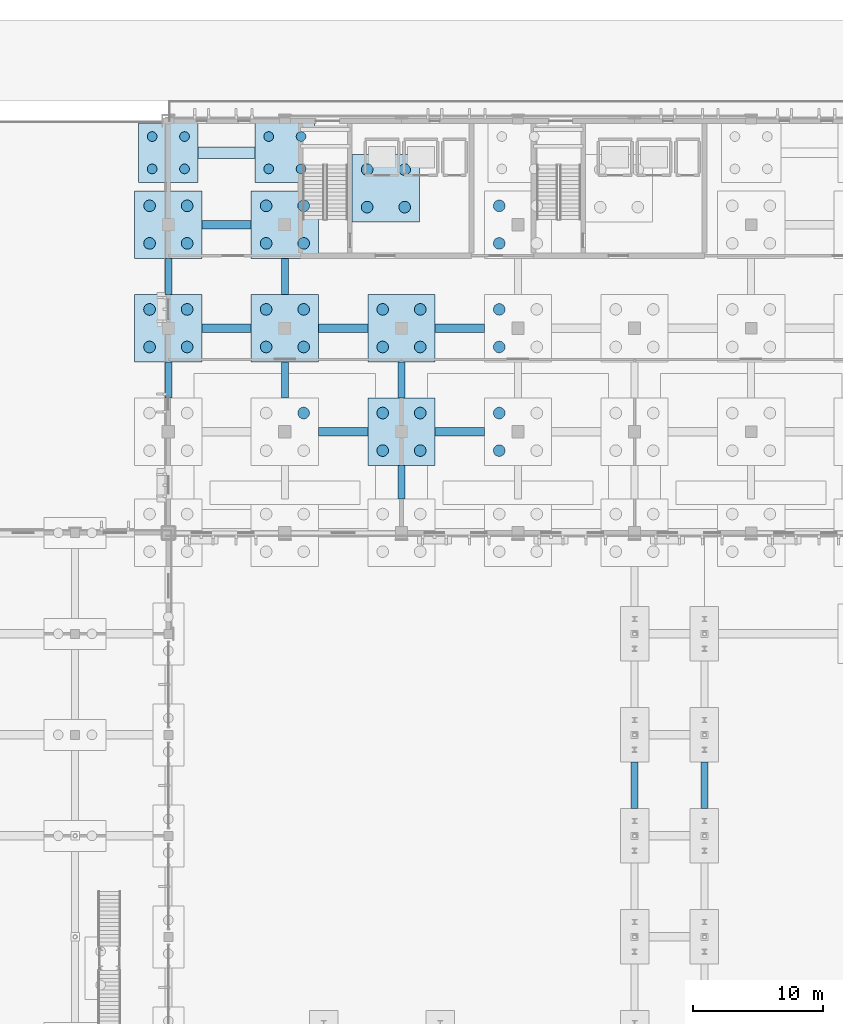
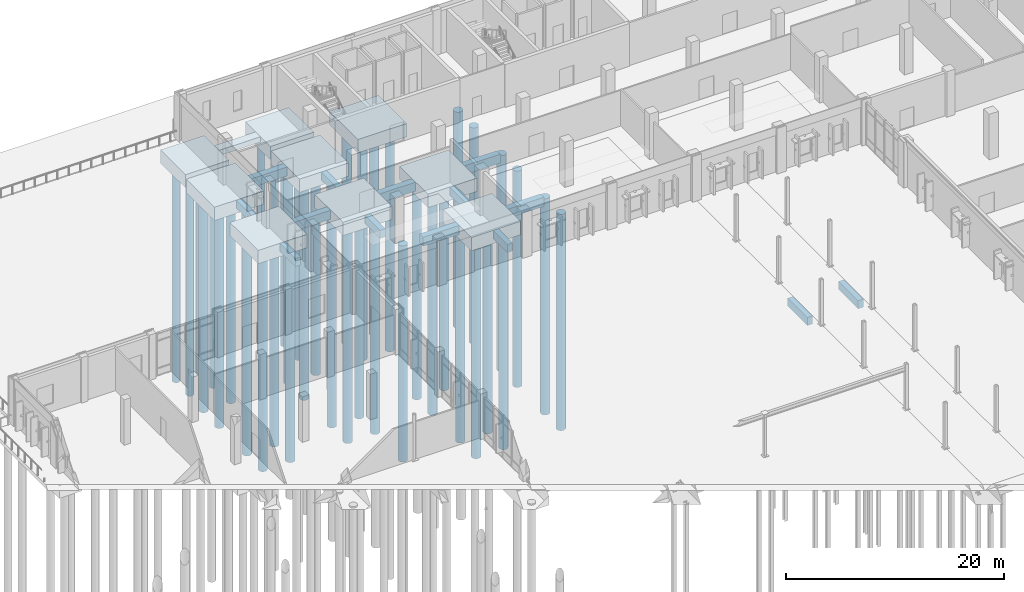
# One storey, part 9 of 94: 43 piles, 24 footings.
"""IFC4 building model written with IfcOpenShell, lengths in metres."""

from ifc_helpers import new_model, si_unit, direction, frame, origin, origin_2d, place, context, subcontext, project, spatial, rectangle, circle, extrude, material, material_profile, profile_set, type_object, element, save


model = new_model("IFC4")

# Units and contexts
model_context = context("Model", 3, precision=1e-05, world=origin(), true_north=direction((0.0, 1.0)))
body_context = subcontext(model_context, "Body", "Model", "MODEL_VIEW")
ifc_project = project(units=[si_unit("LENGTHUNIT", "METRE"), si_unit("AREAUNIT", "SQUARE_METRE"), si_unit("VOLUMEUNIT", "CUBIC_METRE"), si_unit("PLANEANGLEUNIT", "RADIAN"), si_unit("MASSUNIT", "GRAM", prefix="KILO")], contexts=[model_context])

# Site, building, storey
site_placement = place(None, origin())
site = spatial("IfcSite", under=ifc_project, at=site_placement, CompositionType="ELEMENT")
building_placement = place(site_placement, origin())
building = spatial("IfcBuilding", under=site, at=building_placement, Name="Vervanel Yard Central Library", CompositionType="ELEMENT")
storey_placement = place(building_placement, origin())
storey = spatial("IfcBuildingStorey", under=building, at=storey_placement, Name="L00", CompositionType="ELEMENT", Elevation=0.0)

# Piles
ifc_material = material(Name="Concrete C40/50", Category="concrete")
ifc_material_profile_1 = material_profile(ifc_material, circle(Radius=0.375, at=origin_2d()), Name="BP D750", Category="concrete")
ifc_profile_set_1 = profile_set([ifc_material_profile_1], Name="Concrete C40/50")
pile_type_1 = type_object("IfcPileType", Name="Bored Concrete Pile D750", PredefinedType="BORED", material=ifc_profile_set_1)
for number, where, z_axis, x_axis, name in (
    (1, (34.75, 110.300048828125, -1.75), (0.0, 0.0, -1.0), (1.0, 0.0, 0.0), "Bored Concrete Pile 261 under PCAP-064"),
    (2, (37.25, 110.300048828125, -1.75), (0.0, 0.0, -1.0), (1.0, 0.0, 0.0), "Bored Concrete Pile 262 under PCAP-064"),
    (3, (34.75, 112.800048828125, -1.75), (0.0, 0.0, -1.0), (1.0, 0.0, 0.0), "Bored Concrete Pile 263 under PCAP-064"),
    (4, (37.25, 112.800048828125, -1.75), (0.0, 0.0, -1.0), (1.0, 0.0, 0.0), "Bored Concrete Pile 264 under PCAP-064"),
    (5, (43.75, 110.300048828125, -1.75), (0.0, 0.0, -1.0), (1.0, 0.0, 0.0), "Bored Concrete Pile 265 under PCAP-065"),
    (6, (46.25, 110.300048828125, -1.75), (0.0, 0.0, -1.0), (1.0, 0.0, 0.0), "Bored Concrete Pile 266 under PCAP-065"),
    (7, (43.75, 112.800048828125, -1.75), (0.0, 0.0, -1.0), (1.0, 0.0, 0.0), "Bored Concrete Pile 267 under PCAP-065"),
    (8, (46.25, 112.800048828125, -1.75), (0.0, 0.0, -1.0), (1.0, 0.0, 0.0), "Bored Concrete Pile 268 under PCAP-065"),
):
    element("IfcPile", number, at=place(storey_placement, frame(where, z_axis=z_axis, x_axis=x_axis)), inside=storey, type_object=pile_type_1, Name=name, PredefinedType="BORED", context=body_context, shape_type="SweptSolid", body=[
        extrude(circle(Radius=0.375, at=origin_2d()), origin(), (0.0, 0.0, 1.0), 24.25),
    ])
ifc_material_profile_2 = material_profile(ifc_material, circle(Radius=0.449951171875, at=origin_2d()), Name="BP D900", Category="concrete")
ifc_profile_set_2 = profile_set([ifc_material_profile_2], Name="Concrete C40/50")
pile_type_2 = type_object("IfcPileType", Name="Bored Concrete Pile D900", PredefinedType="BORED", material=ifc_profile_set_2)
for number, where, z_axis, x_axis, name in (
    (9, (34.550048828125, 96.550048828125, -1.75), (0.0, 0.0, -1.0), (1.0, 0.0, 0.0), "Bored Concrete Pile 41 under PCAP-009"),
    (10, (37.449951171875, 96.550048828125, -1.75), (0.0, 0.0, -1.0), (1.0, 0.0, 0.0), "Bored Concrete Pile 42 under PCAP-009"),
    (11, (34.550048828125, 99.449951171875, -1.75), (0.0, 0.0, -1.0), (1.0, 0.0, 0.0), "Bored Concrete Pile 43 under PCAP-009"),
    (12, (37.449951171875, 99.449951171875, -1.75), (0.0, 0.0, -1.0), (1.0, 0.0, 0.0), "Bored Concrete Pile 44 under PCAP-009"),
    (13, (34.550048828125, 104.550048828125, -1.75), (0.0, 0.0, -1.0), (1.0, 0.0, 0.0), "Bored Concrete Pile 45 under PCAP-010"),
    (14, (37.449951171875, 104.550048828125, -1.75), (0.0, 0.0, -1.0), (1.0, 0.0, 0.0), "Bored Concrete Pile 46 under PCAP-010"),
    (15, (34.550048828125, 107.449951171875, -1.75), (0.0, 0.0, -1.0), (1.0, 0.0, 0.0), "Bored Concrete Pile 47 under PCAP-010"),
    (16, (37.449951171875, 107.449951171875, -1.75), (0.0, 0.0, -1.0), (1.0, 0.0, 0.0), "Bored Concrete Pile 48 under PCAP-010"),
    (17, (46.449951171875, 91.449951171875, -1.75), (0.0, 0.0, -1.0), (1.0, 0.0, 0.0), "Bored Concrete Pile 56 under PCAP-012"),
    (18, (43.550048828125, 96.550048828125, -1.75), (0.0, 0.0, -1.0), (1.0, 0.0, 0.0), "Bored Concrete Pile 57 under PCAP-013"),
    (19, (46.449951171875, 96.550048828125, -1.75), (0.0, 0.0, -1.0), (1.0, 0.0, 0.0), "Bored Concrete Pile 58 under PCAP-013"),
    (20, (43.550048828125, 99.449951171875, -1.75), (0.0, 0.0, -1.0), (1.0, 0.0, 0.0), "Bored Concrete Pile 59 under PCAP-013"),
    (21, (46.449951171875, 99.449951171875, -1.75), (0.0, 0.0, -1.0), (1.0, 0.0, 0.0), "Bored Concrete Pile 60 under PCAP-013"),
    (22, (43.550048828125, 104.550048828125, -1.75), (0.0, 0.0, -1.0), (1.0, 0.0, 0.0), "Bored Concrete Pile 61 under PCAP-014"),
    (23, (46.449951171875, 104.550048828125, -1.75), (0.0, 0.0, -1.0), (1.0, 0.0, 0.0), "Bored Concrete Pile 62 under PCAP-014"),
    (24, (43.550048828125, 107.449951171875, -1.75), (0.0, 0.0, -1.0), (1.0, 0.0, 0.0), "Bored Concrete Pile 63 under PCAP-014"),
    (25, (46.449951171875, 107.449951171875, -1.75), (0.0, 0.0, -1.0), (1.0, 0.0, 0.0), "Bored Concrete Pile 64 under PCAP-014"),
    (26, (51.35009765625, 107.35009765625, -1.75), (0.0, 0.0, -1.0), (1.0, 0.0, 0.0), "Bored Concrete Pile 65 under PCAP-015"),
    (27, (54.25, 107.35009765625, -1.75), (0.0, 0.0, -1.0), (1.0, 0.0, 0.0), "Bored Concrete Pile 66 under PCAP-015"),
    (28, (51.35009765625, 110.25, -1.75), (0.0, 0.0, -1.0), (1.0, 0.0, 0.0), "Bored Concrete Pile 67 under PCAP-015"),
    (29, (54.25, 110.25, -1.75), (0.0, 0.0, -1.0), (1.0, 0.0, 0.0), "Bored Concrete Pile 68 under PCAP-015"),
    (30, (52.550048828125, 88.550048828125, -1.75), (0.0, 0.0, -1.0), (1.0, 0.0, 0.0), "Bored Concrete Pile 73 under PCAP-017"),
    (31, (55.449951171875, 88.550048828125, -1.75), (0.0, 0.0, -1.0), (1.0, 0.0, 0.0), "Bored Concrete Pile 74 under PCAP-017"),
    (32, (52.550048828125, 91.449951171875, -1.75), (0.0, 0.0, -1.0), (1.0, 0.0, 0.0), "Bored Concrete Pile 75 under PCAP-017"),
    (33, (55.449951171875, 91.449951171875, -1.75), (0.0, 0.0, -1.0), (1.0, 0.0, 0.0), "Bored Concrete Pile 76 under PCAP-017"),
    (34, (52.550048828125, 96.550048828125, -1.75), (0.0, 0.0, -1.0), (1.0, 0.0, 0.0), "Bored Concrete Pile 77 under PCAP-018"),
    (35, (55.449951171875, 96.550048828125, -1.75), (0.0, 0.0, -1.0), (1.0, 0.0, 0.0), "Bored Concrete Pile 78 under PCAP-018"),
    (36, (52.550048828125, 99.449951171875, -1.75), (0.0, 0.0, -1.0), (1.0, 0.0, 0.0), "Bored Concrete Pile 79 under PCAP-018"),
    (37, (55.449951171875, 99.449951171875, -1.75), (0.0, 0.0, -1.0), (1.0, 0.0, 0.0), "Bored Concrete Pile 80 under PCAP-018"),
    (38, (61.550048828125, 88.550048828125, -1.75), (0.0, 0.0, -1.0), (1.0, 0.0, 0.0), "Bored Concrete Pile 85 under PCAP-020"),
    (39, (61.550048828125, 91.449951171875, -1.75), (0.0, 0.0, -1.0), (1.0, 0.0, 0.0), "Bored Concrete Pile 87 under PCAP-020"),
    (40, (61.550048828125, 96.550048828125, -1.75), (0.0, 0.0, -1.0), (1.0, 0.0, 0.0), "Bored Concrete Pile 89 under PCAP-021"),
    (41, (61.550048828125, 99.449951171875, -1.75), (0.0, 0.0, -1.0), (1.0, 0.0, 0.0), "Bored Concrete Pile 91 under PCAP-021"),
    (42, (61.550048828125, 104.550048828125, -1.75), (0.0, 0.0, -1.0), (1.0, 0.0, 0.0), "Bored Concrete Pile 93 under PCAP-022"),
    (43, (61.550048828125, 107.449951171875, -1.75), (0.0, 0.0, -1.0), (1.0, 0.0, 0.0), "Bored Concrete Pile 95 under PCAP-022"),
):
    element("IfcPile", number, at=place(storey_placement, frame(where, z_axis=z_axis, x_axis=x_axis)), inside=storey, type_object=pile_type_2, Name=name, PredefinedType="BORED", context=body_context, shape_type="SweptSolid", body=[
        extrude(circle(Radius=0.449951171875, at=origin_2d()), origin(), (0.0, 0.0, 1.0), 24.25),
    ])

# Footings
footing_type_1 = type_object("IfcFootingType", Name="Combined 4-Pile Cap 4600x4600x1500", PredefinedType="PILE_CAP", material=ifc_material)
for number, where, z_axis, x_axis, name in (
    (44, (36.0, 111.550048828125, -1.89990234375), (0.0, 0.0, 1.0), (1.0, 0.0, 0.0), "Combined Pile Cap PCAP-064 (PC-03)"),
    (45, (45.0, 111.550048828125, -1.89990234375), (0.0, 0.0, 1.0), (1.0, 0.0, 0.0), "Combined Pile Cap PCAP-065 (PC-03)"),
):
    element("IfcFooting", number, at=place(storey_placement, frame(where, z_axis=z_axis, x_axis=x_axis)), inside=storey, type_object=footing_type_1, Name=name, PredefinedType="PILE_CAP", context=body_context, shape_type="SweptSolid", body=[
        extrude(rectangle(XDim=4.60009765625, YDim=4.60009765625, at=origin_2d()), origin(), (0.0, 0.0, 1.0), 1.5),
    ])
footing_type_2 = type_object("IfcFootingType", Name="Combined 4-Pile Heavy Cap 5200x5200x1500", PredefinedType="PILE_CAP", material=ifc_material)
for number, where, z_axis, x_axis, name in (
    (46, (36.0, 98.0, -1.89990234375), (0.0, 0.0, 1.0), (1.0, 0.0, 0.0), "Combined Pile Cap PCAP-009 (PC-04)"),
    (47, (36.0, 106.0, -1.89990234375), (0.0, 0.0, 1.0), (1.0, 0.0, 0.0), "Combined Pile Cap PCAP-010 (PC-04)"),
    (48, (45.0, 98.0, -1.89990234375), (0.0, 0.0, 1.0), (1.0, 0.0, 0.0), "Combined Pile Cap PCAP-013 (PC-04)"),
    (49, (45.0, 106.0, -1.89990234375), (0.0, 0.0, 1.0), (1.0, 0.0, 0.0), "Combined Pile Cap PCAP-014 (PC-04)"),
    (50, (52.800048828125, 108.800048828125, -1.89990234375), (0.0, 0.0, 1.0), (1.0, 0.0, 0.0), "Combined Pile Cap PCAP-015 (PC-04)"),
    (51, (54.0, 90.0, -1.89990234375), (0.0, 0.0, 1.0), (1.0, 0.0, 0.0), "Combined Pile Cap PCAP-017 (PC-04)"),
    (52, (54.0, 98.0, -1.89990234375), (0.0, 0.0, 1.0), (1.0, 0.0, 0.0), "Combined Pile Cap PCAP-018 (PC-04)"),
):
    element("IfcFooting", number, at=place(storey_placement, frame(where, z_axis=z_axis, x_axis=x_axis)), inside=storey, type_object=footing_type_2, Name=name, PredefinedType="PILE_CAP", context=body_context, shape_type="SweptSolid", body=[
        extrude(rectangle(XDim=5.199951171875, YDim=5.199951171875, at=origin_2d()), origin(), (0.0, 0.0, 1.0), 1.5),
    ])
ifc_material_profile_3 = material_profile(ifc_material, rectangle(XDim=0.550048828125, YDim=0.89990234375, at=origin_2d()), Name="RC 550x900", Category="concrete")
ifc_profile_set_3 = profile_set([ifc_material_profile_3], Name="Concrete C40/50")
footing_type_3 = type_object("IfcFootingType", Name="Concrete Footing Beam 550x900", PredefinedType="FOOTING_BEAM", material=ifc_profile_set_3)
for number, where, z_axis, x_axis, name in (
    (53, (36.0, 92.60009765625, -0.8701171875), (0.0, 1.0, 0.0), (-1.0, 0.0, 0.0), "Concrete Footing Beam FB-Y-195"),
    (54, (36.0, 100.60009765625, -0.8701171875), (0.0, 1.0, 0.0), (-1.0, 0.0, 0.0), "Concrete Footing Beam FB-Y-196"),
    (55, (45.0, 92.60009765625, -0.8701171875), (0.0, 1.0, 0.0), (-1.0, 0.0, 0.0), "Concrete Footing Beam FB-Y-202"),
    (56, (45.0, 100.60009765625, -0.8701171875), (0.0, 1.0, 0.0), (-1.0, 0.0, 0.0), "Concrete Footing Beam FB-Y-203"),
):
    element("IfcFooting", number, at=place(storey_placement, frame(where, z_axis=z_axis, x_axis=x_axis)), inside=storey, type_object=footing_type_3, Name=name, PredefinedType="FOOTING_BEAM", context=body_context, shape_type="SweptSolid", body=[
        extrude(rectangle(XDim=0.550048828125, YDim=0.89990234375, at=origin_2d()), origin(), (0.0, 0.0, 1.0), 2.7998046875),
    ])
footing_1_placement = place(storey_placement, frame((54.0, 84.800048828125, -0.8701171875), z_axis=(0.0, 1.0, 0.0), x_axis=(-1.0, 0.0, 0.0)))
element("IfcFooting", 57, at=footing_1_placement, inside=storey, type_object=footing_type_3, Name="Concrete Footing Beam FB-Y-205", PredefinedType="FOOTING_BEAM", context=body_context, shape_type="SweptSolid", body=[
    extrude(rectangle(XDim=0.550048828125, YDim=0.89990234375, at=origin_2d()), origin(), (0.0, 0.0, 1.0), 2.599853515625),
])
footing_2_placement = place(storey_placement, frame((54.0, 92.60009765625, -0.8701171875), z_axis=(0.0, 1.0, 0.0), x_axis=(-1.0, 0.0, 0.0)))
element("IfcFooting", 58, at=footing_2_placement, inside=storey, type_object=footing_type_3, Name="Concrete Footing Beam FB-Y-206", PredefinedType="FOOTING_BEAM", context=body_context, shape_type="SweptSolid", body=[
    extrude(rectangle(XDim=0.550048828125, YDim=0.89990234375, at=origin_2d()), origin(), (0.0, 0.0, 1.0), 2.7998046875),
])
for number, where, z_axis, x_axis, name in (
    (59, (72.0, 60.89990234375, -0.8701171875), (0.0, 1.0, 0.0), (-1.0, 0.0, 0.0), "Concrete Footing Beam FB-Y-220"),
    (60, (77.39990234375, 60.89990234375, -0.8701171875), (0.0, 1.0, 0.0), (-1.0, 0.0, 0.0), "Concrete Footing Beam FB-Y-229"),
):
    element("IfcFooting", number, at=place(storey_placement, frame(where, z_axis=z_axis, x_axis=x_axis)), inside=storey, type_object=footing_type_3, Name=name, PredefinedType="FOOTING_BEAM", context=body_context, shape_type="SweptSolid", body=[
        extrude(rectangle(XDim=0.550048828125, YDim=0.89990234375, at=origin_2d()), origin(), (0.0, 0.0, 1.0), 3.60009765625),
    ])
ifc_material_profile_4 = material_profile(ifc_material, rectangle(XDim=0.64990234375, YDim=1.0, at=origin_2d()), Name="RC 650x1000", Category="concrete")
ifc_profile_set_4 = profile_set([ifc_material_profile_4], Name="Concrete C40/50")
footing_type_4 = type_object("IfcFootingType", Name="Concrete Footing Beam 650x1000", PredefinedType="FOOTING_BEAM", material=ifc_profile_set_4)
for number, where, z_axis, x_axis, name in (
    (61, (47.60009765625, 90.0, -0.919921875), (1.0, 0.0, 0.0), (0.0, 1.0, 0.0), "Concrete Footing Beam FB-X-110"),
    (62, (56.60009765625, 90.0, -0.919921875), (1.0, 0.0, 0.0), (0.0, 1.0, 0.0), "Concrete Footing Beam FB-X-111"),
    (63, (38.60009765625, 98.0, -0.919921875), (1.0, 0.0, 0.0), (0.0, 1.0, 0.0), "Concrete Footing Beam FB-X-121"),
    (64, (47.60009765625, 98.0, -0.919921875), (1.0, 0.0, 0.0), (0.0, 1.0, 0.0), "Concrete Footing Beam FB-X-122"),
    (65, (56.60009765625, 98.0, -0.919921875), (1.0, 0.0, 0.0), (0.0, 1.0, 0.0), "Concrete Footing Beam FB-X-123"),
    (66, (38.60009765625, 106.0, -0.919921875), (1.0, 0.0, 0.0), (0.0, 1.0, 0.0), "Concrete Footing Beam FB-X-133"),
):
    element("IfcFooting", number, at=place(storey_placement, frame(where, z_axis=z_axis, x_axis=x_axis)), inside=storey, type_object=footing_type_4, Name=name, PredefinedType="FOOTING_BEAM", context=body_context, shape_type="SweptSolid", body=[
        extrude(rectangle(XDim=0.64990234375, YDim=1.0, at=origin_2d()), origin(), (0.0, 0.0, 1.0), 3.7998046875),
    ])
ifc_material_profile_5 = material_profile(ifc_material, rectangle(XDim=0.89990234375, YDim=0.60009765625, at=origin_2d()), Name="RC 900x600", Category="concrete")
ifc_profile_set_5 = profile_set([ifc_material_profile_5], Name="Concrete C40/50")
footing_type_5 = type_object("IfcFootingType", Name="Concrete Perimeter Strip Footing 900x600", PredefinedType="STRIP_FOOTING", material=ifc_profile_set_5)
footing_3_placement = place(storey_placement, frame((38.300048828125, 111.550048828125, -0.719970703125), z_axis=(1.0, 0.0, 0.0), x_axis=(0.0, 1.0, 0.0)))
element("IfcFooting", 67, at=footing_3_placement, inside=storey, type_object=footing_type_5, Name="Perimeter Strip Footing SF-X-001", PredefinedType="STRIP_FOOTING", context=body_context, shape_type="SweptSolid", body=[
    extrude(rectangle(XDim=0.89990234375, YDim=0.60009765625, at=origin_2d()), origin(), (0.0, 0.0, 1.0), 4.39990234375),
])

save(model, "model.ifc")
